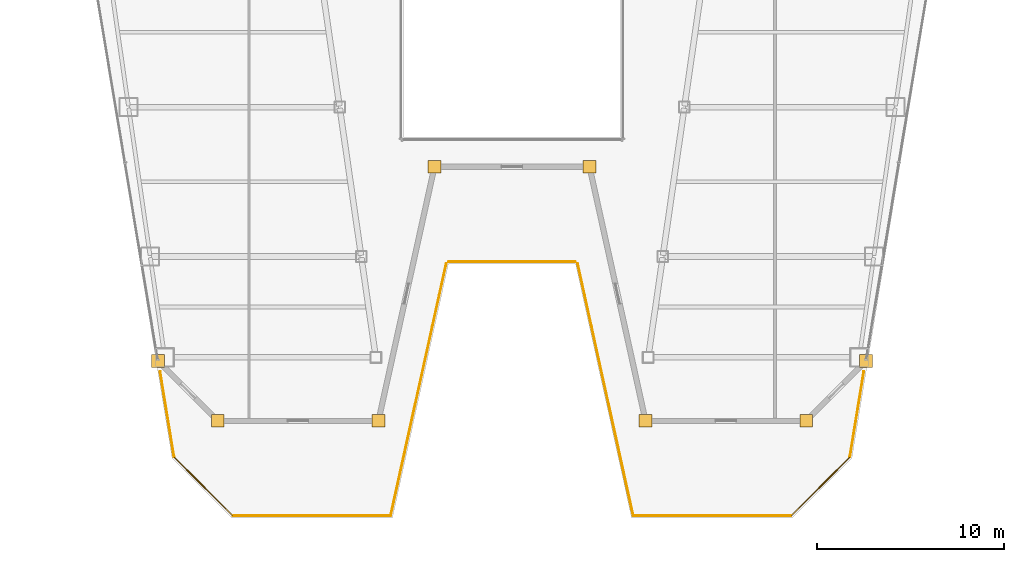
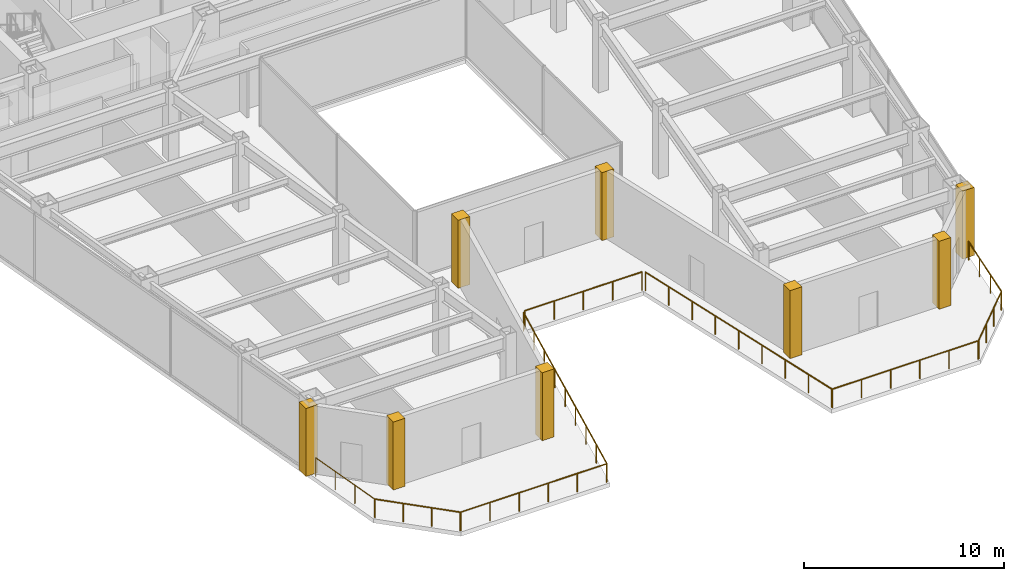
# One storey, part 32 of 35: 9 railings, 8 coverings.
"""IFC4 building model written with IfcOpenShell, lengths in metres."""

from ifc_helpers import new_model, si_unit, direction, frame, origin, origin_2d, place, context, subcontext, project, spatial, polyline, circle, outline, extrude, material, layer, layer_set, type_object, element, save


model = new_model("IFC4")

# Units and contexts
model_context = context("Model", 3, precision=1e-05, world=origin(), true_north=direction((0.0, 1.0)))
body_context = subcontext(model_context, "Body", "Model", "MODEL_VIEW")
ifc_project = project(units=[si_unit("LENGTHUNIT", "METRE"), si_unit("AREAUNIT", "SQUARE_METRE"), si_unit("VOLUMEUNIT", "CUBIC_METRE"), si_unit("PLANEANGLEUNIT", "RADIAN"), si_unit("MASSUNIT", "GRAM", prefix="KILO")], contexts=[model_context])

# Site, building, storey
site_placement = place(None, origin())
site = spatial("IfcSite", under=ifc_project, at=site_placement, CompositionType="ELEMENT")
building_placement = place(site_placement, origin())
building = spatial("IfcBuilding", under=site, at=building_placement, Name="Saevonmaru Cultural Tower", CompositionType="ELEMENT")
storey_placement = place(building_placement, frame((0.0, 0.0, 101.60009765625)))
storey = spatial("IfcBuildingStorey", under=building, at=storey_placement, Name="L21", CompositionType="ELEMENT", Elevation=101.60009765625)

# Coverings
ifc_material = material(Name="Satin Bronze Anodised Aluminium", Category="aluminium")
ifc_layer = layer(ifc_material, 0.679931640625, Name="Satin Bronze Anodised Aluminium")
ifc_layer_set = layer_set([ifc_layer], Name="Satin Bronze Anodised Aluminium")
covering_type = type_object("IfcCoveringType", Name="CV-CORNER-CLAD", PredefinedType="CLADDING", material=ifc_layer_set)
covering_1_placement = place(storey_placement, origin())
element("IfcCovering", 1, at=covering_1_placement, inside=storey, type_object=covering_type, Name="L21 Tower Bronze Corner Cladding Pier 1", PredefinedType="CLADDING", context=body_context, shape_type="SweptSolid", body=[
    extrude(outline(polyline([(10.708984375, 10.06005859375), (11.388916015625, 10.06005859375), (11.388916015625, 10.739990234375), (10.708984375, 10.739990234375), (10.708984375, 10.06005859375)])), origin(), (0.0, 0.0, 1.0), 4.14990234375),
])
covering_2_placement = place(storey_placement, origin())
element("IfcCovering", 2, at=covering_2_placement, inside=storey, type_object=covering_type, Name="L21 Tower Bronze Corner Cladding Pier 2", PredefinedType="CLADDING", context=body_context, shape_type="SweptSolid", body=[
    extrude(outline(polyline([(13.908935546875, 6.860107421875), (14.589111328125, 6.860107421875), (14.589111328125, 7.5400390625), (13.908935546875, 7.5400390625), (13.908935546875, 6.860107421875)])), origin(), (0.0, 0.0, 1.0), 4.14990234375),
])
covering_3_placement = place(storey_placement, origin())
element("IfcCovering", 3, at=covering_3_placement, inside=storey, type_object=covering_type, Name="L21 Tower Bronze Corner Cladding Pier 3", PredefinedType="CLADDING", context=body_context, shape_type="SweptSolid", body=[
    extrude(outline(polyline([(22.509033203125, 6.860107421875), (23.18896484375, 6.860107421875), (23.18896484375, 7.5400390625), (22.509033203125, 7.5400390625), (22.509033203125, 6.860107421875)])), origin(), (0.0, 0.0, 1.0), 4.14990234375),
])
covering_4_placement = place(storey_placement, origin())
element("IfcCovering", 4, at=covering_4_placement, inside=storey, type_object=covering_type, Name="L21 Tower Bronze Corner Cladding Pier 4", PredefinedType="CLADDING", context=body_context, shape_type="SweptSolid", body=[
    extrude(outline(polyline([(25.509033203125, 20.4599609375), (26.18896484375, 20.4599609375), (26.18896484375, 21.139892578125), (25.509033203125, 21.139892578125), (25.509033203125, 20.4599609375)])), origin(), (0.0, 0.0, 1.0), 4.14990234375),
])
covering_5_placement = place(storey_placement, origin())
element("IfcCovering", 5, at=covering_5_placement, inside=storey, type_object=covering_type, Name="L21 Tower Bronze Corner Cladding Pier 5", PredefinedType="CLADDING", context=body_context, shape_type="SweptSolid", body=[
    extrude(outline(polyline([(33.81103515625, 20.4599609375), (34.490966796875, 20.4599609375), (34.490966796875, 21.139892578125), (33.81103515625, 21.139892578125), (33.81103515625, 20.4599609375)])), origin(), (0.0, 0.0, 1.0), 4.14990234375),
])
covering_6_placement = place(storey_placement, origin())
element("IfcCovering", 6, at=covering_6_placement, inside=storey, type_object=covering_type, Name="L21 Tower Bronze Corner Cladding Pier 6", PredefinedType="CLADDING", context=body_context, shape_type="SweptSolid", body=[
    extrude(outline(polyline([(36.81103515625, 6.860107421875), (37.490966796875, 6.860107421875), (37.490966796875, 7.5400390625), (36.81103515625, 7.5400390625), (36.81103515625, 6.860107421875)])), origin(), (0.0, 0.0, 1.0), 4.14990234375),
])
covering_7_placement = place(storey_placement, origin())
element("IfcCovering", 7, at=covering_7_placement, inside=storey, type_object=covering_type, Name="L21 Tower Bronze Corner Cladding Pier 7", PredefinedType="CLADDING", context=body_context, shape_type="SweptSolid", body=[
    extrude(outline(polyline([(45.410888671875, 6.860107421875), (46.091064453125, 6.860107421875), (46.091064453125, 7.5400390625), (45.410888671875, 7.5400390625), (45.410888671875, 6.860107421875)])), origin(), (0.0, 0.0, 1.0), 4.14990234375),
])
covering_8_placement = place(storey_placement, origin())
element("IfcCovering", 8, at=covering_8_placement, inside=storey, type_object=covering_type, Name="L21 Tower Bronze Corner Cladding Pier 8", PredefinedType="CLADDING", context=body_context, shape_type="SweptSolid", body=[
    extrude(outline(polyline([(48.611083984375, 10.06005859375), (49.291015625, 10.06005859375), (49.291015625, 10.739990234375), (48.611083984375, 10.739990234375), (48.611083984375, 10.06005859375)])), origin(), (0.0, 0.0, 1.0), 4.14990234375),
])

# Railings
railing_type = type_object("IfcRailingType", Name="RL-BALUSTRADE-1150", PredefinedType="BALUSTRADE", material=ifc_material)
railing_1_placement = place(storey_placement, frame((48.83984375, 9.848388671875, 0.0)))
element("IfcRailing", 9, at=railing_1_placement, inside=storey, type_object=railing_type, Name="L21 Setback Terrace Balustrade 1-1", PredefinedType="BALUSTRADE", context=body_context, shape_type="SweptSolid", body=[
    extrude(circle(Radius=0.02392578125, at=origin_2d()), frame((0.0, 0.0, 1.1259765625), z_axis=(-0.161611774032, -0.986854414032, 0.0), x_axis=(0.986854414032, -0.161611774032, 0.0)), (0.0, 0.0, 1.0), 4.631591796875),
    extrude(circle(Radius=0.02099609375, at=origin_2d()), origin(), (0.0, 0.0, 1.0), 1.101806640625),
    extrude(circle(Radius=0.02099609375, at=origin_2d()), frame((-0.24951171875, -1.523681640625, 0.0)), (0.0, 0.0, 1.0), 1.101806640625),
    extrude(circle(Radius=0.02099609375, at=origin_2d()), frame((-0.4990234375, -3.047119140625, 0.0)), (0.0, 0.0, 1.0), 1.101806640625),
    extrude(circle(Radius=0.02099609375, at=origin_2d()), frame((-0.74853515625, -4.57080078125, 0.0)), (0.0, 0.0, 1.0), 1.101806640625),
])
railing_2_placement = place(storey_placement, frame((48.073974609375, 5.243896484375, 0.0)))
element("IfcRailing", 10, at=railing_2_placement, inside=storey, type_object=railing_type, Name="L21 Setback Terrace Balustrade 1-2", PredefinedType="BALUSTRADE", context=body_context, shape_type="SweptSolid", body=[
    extrude(circle(Radius=0.02392578125, at=origin_2d()), frame((0.0, 0.0, 1.1259765625), z_axis=(-0.707106781187, -0.707106781187, 0.0), x_axis=(0.707106781187, -0.707106781187, 0.0)), (0.0, 0.0, 1.0), 4.39794921875),
    extrude(circle(Radius=0.02099609375, at=origin_2d()), origin(), (0.0, 0.0, 1.0), 1.101806640625),
    extrude(circle(Radius=0.02099609375, at=origin_2d()), frame((-1.03662109375, -1.03662109375, 0.0)), (0.0, 0.0, 1.0), 1.101806640625),
    extrude(circle(Radius=0.02099609375, at=origin_2d()), frame((-2.0732421875, -2.0732421875, 0.0)), (0.0, 0.0, 1.0), 1.101806640625),
    extrude(circle(Radius=0.02099609375, at=origin_2d()), frame((-3.10986328125, -3.10986328125, 0.0)), (0.0, 0.0, 1.0), 1.101806640625),
])
railing_3_placement = place(storey_placement, frame((44.929931640625, 2.1201171875, 0.0)))
element("IfcRailing", 11, at=railing_3_placement, inside=storey, type_object=railing_type, Name="L21 Setback Terrace Balustrade 1-3", PredefinedType="BALUSTRADE", context=body_context, shape_type="SweptSolid", body=[
    extrude(circle(Radius=0.02392578125, at=origin_2d()), frame((0.0, 0.0, 1.1259765625), z_axis=(-1.0, 0.0, 0.0), x_axis=(0.0, -1.0, 0.0)), (0.0, 0.0, 1.0), 8.413818359375),
    extrude(circle(Radius=0.02099609375, at=origin_2d()), origin(), (0.0, 0.0, 1.0), 1.101806640625),
    extrude(circle(Radius=0.02099609375, at=origin_2d()), frame((-1.682861328125, 0.0, 0.0)), (0.0, 0.0, 1.0), 1.101806640625),
    extrude(circle(Radius=0.02099609375, at=origin_2d()), frame((-3.365478515625, 0.0, 0.0)), (0.0, 0.0, 1.0), 1.101806640625),
    extrude(circle(Radius=0.02099609375, at=origin_2d()), frame((-5.04833984375, 0.0, 0.0)), (0.0, 0.0, 1.0), 1.101806640625),
    extrude(circle(Radius=0.02099609375, at=origin_2d()), frame((-6.73095703125, 0.0, 0.0)), (0.0, 0.0, 1.0), 1.101806640625),
    extrude(circle(Radius=0.02099609375, at=origin_2d()), frame((-8.413818359375, 0.0, 0.0)), (0.0, 0.0, 1.0), 1.101806640625),
])
railing_4_placement = place(storey_placement, frame((36.49169921875, 2.139404296875, 0.0)))
element("IfcRailing", 12, at=railing_4_placement, inside=storey, type_object=railing_type, Name="L21 Setback Terrace Balustrade 1-4", PredefinedType="BALUSTRADE", context=body_context, shape_type="SweptSolid", body=[
    extrude(circle(Radius=0.02392578125, at=origin_2d()), frame((0.0, 0.0, 1.1259765625), z_axis=(-0.215395008476, 0.976527004401, 0.0), x_axis=(-0.976527004401, -0.215395008476, 0.0)), (0.0, 0.0, 1.0), 13.790771484375),
    extrude(circle(Radius=0.02099609375, at=origin_2d()), origin(), (0.0, 0.0, 1.0), 1.101806640625),
    extrude(circle(Radius=0.02099609375, at=origin_2d()), frame((-0.371337890625, 1.683349609375, 0.0)), (0.0, 0.0, 1.0), 1.101806640625),
    extrude(circle(Radius=0.02099609375, at=origin_2d()), frame((-0.74267578125, 3.36669921875, 0.0)), (0.0, 0.0, 1.0), 1.101806640625),
    extrude(circle(Radius=0.02099609375, at=origin_2d()), frame((-1.114013671875, 5.050048828125, 0.0)), (0.0, 0.0, 1.0), 1.101806640625),
    extrude(circle(Radius=0.02099609375, at=origin_2d()), frame((-1.4853515625, 6.7333984375, 0.0)), (0.0, 0.0, 1.0), 1.101806640625),
    extrude(circle(Radius=0.02099609375, at=origin_2d()), frame((-1.8564453125, 8.4169921875, 0.0)), (0.0, 0.0, 1.0), 1.101806640625),
    extrude(circle(Radius=0.02099609375, at=origin_2d()), frame((-2.227783203125, 10.100341796875, 0.0)), (0.0, 0.0, 1.0), 1.101806640625),
    extrude(circle(Radius=0.02099609375, at=origin_2d()), frame((-2.59912109375, 11.78369140625, 0.0)), (0.0, 0.0, 1.0), 1.101806640625),
    extrude(circle(Radius=0.02099609375, at=origin_2d()), frame((-2.970458984375, 13.467041015625, 0.0)), (0.0, 0.0, 1.0), 1.101806640625),
])
railing_5_placement = place(storey_placement, frame((33.3798828125, 15.719970703125, 0.0)))
element("IfcRailing", 13, at=railing_5_placement, inside=storey, type_object=railing_type, Name="L21 Setback Terrace Balustrade 1-5", PredefinedType="BALUSTRADE", context=body_context, shape_type="SweptSolid", body=[
    extrude(circle(Radius=0.02392578125, at=origin_2d()), frame((0.0, 0.0, 1.1259765625), z_axis=(-1.0, 0.0, 0.0), x_axis=(0.0, -1.0, 0.0)), (0.0, 0.0, 1.0), 6.759765625),
    extrude(circle(Radius=0.02099609375, at=origin_2d()), origin(), (0.0, 0.0, 1.0), 1.101806640625),
    extrude(circle(Radius=0.02099609375, at=origin_2d()), frame((-1.68994140625, 0.0, 0.0)), (0.0, 0.0, 1.0), 1.101806640625),
    extrude(circle(Radius=0.02099609375, at=origin_2d()), frame((-3.3798828125, 0.0, 0.0)), (0.0, 0.0, 1.0), 1.101806640625),
    extrude(circle(Radius=0.02099609375, at=origin_2d()), frame((-5.06982421875, 0.0, 0.0)), (0.0, 0.0, 1.0), 1.101806640625),
    extrude(circle(Radius=0.02099609375, at=origin_2d()), frame((-6.759765625, 0.0, 0.0)), (0.0, 0.0, 1.0), 1.101806640625),
])
railing_6_placement = place(storey_placement, frame((26.478759765625, 15.6064453125, 0.0)))
element("IfcRailing", 14, at=railing_6_placement, inside=storey, type_object=railing_type, Name="L21 Setback Terrace Balustrade 1-6", PredefinedType="BALUSTRADE", context=body_context, shape_type="SweptSolid", body=[
    extrude(circle(Radius=0.02392578125, at=origin_2d()), frame((0.0, 0.0, 1.1259765625), z_axis=(-0.215395008476, -0.976527004401, 0.0), x_axis=(0.976527004401, -0.215395008476, 0.0)), (0.0, 0.0, 1.0), 13.790771484375),
    extrude(circle(Radius=0.02099609375, at=origin_2d()), origin(), (0.0, 0.0, 1.0), 1.101806640625),
    extrude(circle(Radius=0.02099609375, at=origin_2d()), frame((-0.371337890625, -1.683349609375, 0.0)), (0.0, 0.0, 1.0), 1.101806640625),
    extrude(circle(Radius=0.02099609375, at=origin_2d()), frame((-0.74267578125, -3.36669921875, 0.0)), (0.0, 0.0, 1.0), 1.101806640625),
    extrude(circle(Radius=0.02099609375, at=origin_2d()), frame((-1.114013671875, -5.050048828125, 0.0)), (0.0, 0.0, 1.0), 1.101806640625),
    extrude(circle(Radius=0.02099609375, at=origin_2d()), frame((-1.4853515625, -6.7333984375, 0.0)), (0.0, 0.0, 1.0), 1.101806640625),
    extrude(circle(Radius=0.02099609375, at=origin_2d()), frame((-1.8564453125, -8.4169921875, 0.0)), (0.0, 0.0, 1.0), 1.101806640625),
    extrude(circle(Radius=0.02099609375, at=origin_2d()), frame((-2.227783203125, -10.100341796875, 0.0)), (0.0, 0.0, 1.0), 1.101806640625),
    extrude(circle(Radius=0.02099609375, at=origin_2d()), frame((-2.59912109375, -11.78369140625, 0.0)), (0.0, 0.0, 1.0), 1.101806640625),
    extrude(circle(Radius=0.02099609375, at=origin_2d()), frame((-2.970458984375, -13.467041015625, 0.0)), (0.0, 0.0, 1.0), 1.101806640625),
])
railing_7_placement = place(storey_placement, frame((23.48388671875, 2.1201171875, 0.0)))
element("IfcRailing", 15, at=railing_7_placement, inside=storey, type_object=railing_type, Name="L21 Setback Terrace Balustrade 1-7", PredefinedType="BALUSTRADE", context=body_context, shape_type="SweptSolid", body=[
    extrude(circle(Radius=0.02392578125, at=origin_2d()), frame((0.0, 0.0, 1.1259765625), z_axis=(-1.0, 0.0, 0.0), x_axis=(0.0, -1.0, 0.0)), (0.0, 0.0, 1.0), 8.413818359375),
    extrude(circle(Radius=0.02099609375, at=origin_2d()), origin(), (0.0, 0.0, 1.0), 1.101806640625),
    extrude(circle(Radius=0.02099609375, at=origin_2d()), frame((-1.682861328125, 0.0, 0.0)), (0.0, 0.0, 1.0), 1.101806640625),
    extrude(circle(Radius=0.02099609375, at=origin_2d()), frame((-3.365478515625, 0.0, 0.0)), (0.0, 0.0, 1.0), 1.101806640625),
    extrude(circle(Radius=0.02099609375, at=origin_2d()), frame((-5.04833984375, 0.0, 0.0)), (0.0, 0.0, 1.0), 1.101806640625),
    extrude(circle(Radius=0.02099609375, at=origin_2d()), frame((-6.73095703125, 0.0, 0.0)), (0.0, 0.0, 1.0), 1.101806640625),
    extrude(circle(Radius=0.02099609375, at=origin_2d()), frame((-8.413818359375, 0.0, 0.0)), (0.0, 0.0, 1.0), 1.101806640625),
])
railing_8_placement = place(storey_placement, frame((15.035888671875, 2.134033203125, 0.0)))
element("IfcRailing", 16, at=railing_8_placement, inside=storey, type_object=railing_type, Name="L21 Setback Terrace Balustrade 1-8", PredefinedType="BALUSTRADE", context=body_context, shape_type="SweptSolid", body=[
    extrude(circle(Radius=0.02392578125, at=origin_2d()), frame((0.0, 0.0, 1.1259765625), z_axis=(-0.707106781187, 0.707106781187, 0.0), x_axis=(-0.707106781187, -0.707106781187, 0.0)), (0.0, 0.0, 1.0), 4.39794921875),
    extrude(circle(Radius=0.02099609375, at=origin_2d()), origin(), (0.0, 0.0, 1.0), 1.101806640625),
    extrude(circle(Radius=0.02099609375, at=origin_2d()), frame((-1.03662109375, 1.03662109375, 0.0)), (0.0, 0.0, 1.0), 1.101806640625),
    extrude(circle(Radius=0.02099609375, at=origin_2d()), frame((-2.0732421875, 2.0732421875, 0.0)), (0.0, 0.0, 1.0), 1.101806640625),
    extrude(circle(Radius=0.02099609375, at=origin_2d()), frame((-3.10986328125, 3.10986328125, 0.0)), (0.0, 0.0, 1.0), 1.101806640625),
])
railing_9_placement = place(storey_placement, frame((11.90869140625, 5.277587890625, 0.0)))
element("IfcRailing", 17, at=railing_9_placement, inside=storey, type_object=railing_type, Name="L21 Setback Terrace Balustrade 1-9", PredefinedType="BALUSTRADE", context=body_context, shape_type="SweptSolid", body=[
    extrude(circle(Radius=0.02392578125, at=origin_2d()), frame((0.0, 0.0, 1.1259765625), z_axis=(-0.161611774032, 0.986854414032, 0.0), x_axis=(-0.986854414032, -0.161611774032, 0.0)), (0.0, 0.0, 1.0), 4.631591796875),
    extrude(circle(Radius=0.02099609375, at=origin_2d()), origin(), (0.0, 0.0, 1.0), 1.101806640625),
    extrude(circle(Radius=0.02099609375, at=origin_2d()), frame((-0.24951171875, 1.523681640625, 0.0)), (0.0, 0.0, 1.0), 1.101806640625),
    extrude(circle(Radius=0.02099609375, at=origin_2d()), frame((-0.4990234375, 3.047119140625, 0.0)), (0.0, 0.0, 1.0), 1.101806640625),
    extrude(circle(Radius=0.02099609375, at=origin_2d()), frame((-0.74853515625, 4.57080078125, 0.0)), (0.0, 0.0, 1.0), 1.101806640625),
])

save(model, "model.ifc")
